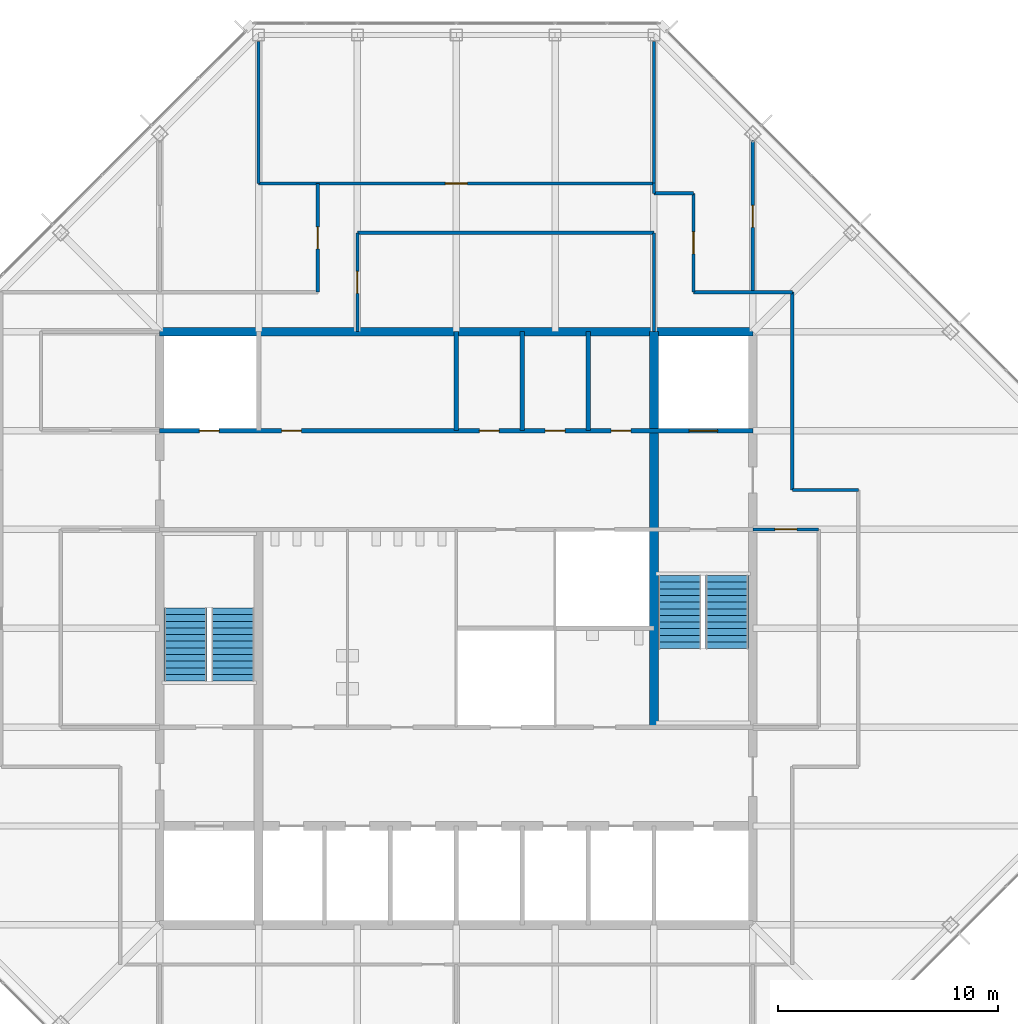
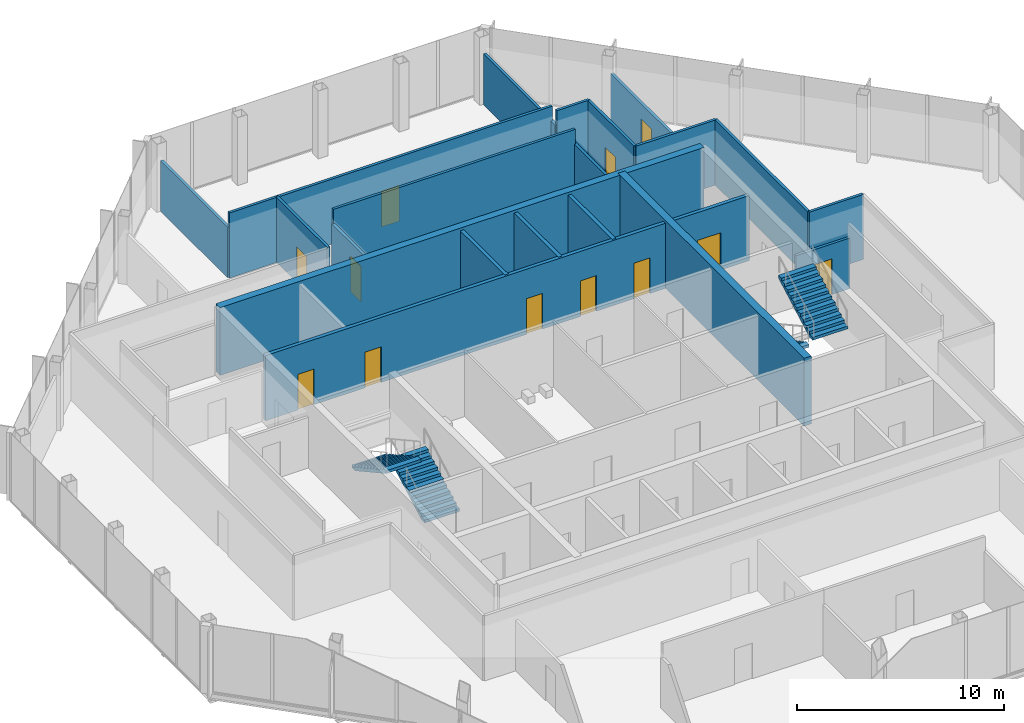
# One storey, part 11 of 13: 21 walls, 12 doors, 4 stair flights, 12 openings, 2 elements without a shape of their own.
"""IFC4 building model written with IfcOpenShell, lengths in metres."""

from ifc_helpers import new_model, si_unit, direction, frame, frame_2d, origin, place, context, subcontext, project, spatial, polyline, rectangle, outline, extrude, material, layer, layer_set, type_object, element, fill, aggregate, save


model = new_model("IFC4")

# Units and contexts
model_context = context("Model", 3, precision=1e-05, world=origin(), true_north=direction((0.0, 1.0)))
body_context = subcontext(model_context, "Body", "Model", "MODEL_VIEW")
ifc_project = project(units=[si_unit("LENGTHUNIT", "METRE"), si_unit("AREAUNIT", "SQUARE_METRE"), si_unit("VOLUMEUNIT", "CUBIC_METRE"), si_unit("PLANEANGLEUNIT", "RADIAN"), si_unit("MASSUNIT", "GRAM", prefix="KILO")], contexts=[model_context])

# Site, building, storey
site_placement = place(None, origin())
site = spatial("IfcSite", under=ifc_project, at=site_placement, CompositionType="ELEMENT")
building_placement = place(site_placement, origin())
building = spatial("IfcBuilding", under=site, at=building_placement, Name="Corais Broadcast Tower", CompositionType="ELEMENT")
storey_placement = place(building_placement, frame((0.0, 0.0, 302.60009765625)))
storey = spatial("IfcBuildingStorey", under=building, at=storey_placement, Name="L71", CompositionType="ELEMENT", Elevation=302.60009765625)

# Walls
ifc_material_1 = material(Name="Concrete C50/60", Category="concrete")
ifc_layer_1 = layer(ifc_material_1, 0.39990234375)
ifc_layer_set_1 = layer_set([ifc_layer_1], Name="Concrete C50/60")
wall_type_1 = type_object("IfcWallType", Name="Core wall 400", PredefinedType="SHEAR", material=ifc_layer_set_1)
wall_1_placement = place(storey_placement, frame((40.5, 40.5, 0.0), z_axis=(0.0, 0.0, 1.0), x_axis=(-1.0, 0.0, 0.0)))
element("IfcWall", 1, at=wall_1_placement, inside=storey, type_object=wall_type_1, Name="CR400 core wall N L71", PredefinedType="SHEAR", context=body_context, shape_type="SweptSolid", body=[
    extrude(rectangle(XDim=27.0, YDim=0.39990234375, at=frame_2d((13.5, 0.0))), origin(), (0.0, 0.0, 1.0), 4.0),
])
wall_2_placement = place(storey_placement, frame((36.0, 22.5, 0.0), z_axis=(0.0, 0.0, 1.0), x_axis=(0.0, 1.0, 0.0)))
element("IfcWall", 2, at=wall_2_placement, inside=storey, type_object=wall_type_1, Name="CR400 core wall X36B L71", PredefinedType="SHEAR", context=body_context, shape_type="SweptSolid", body=[
    extrude(rectangle(XDim=18.0, YDim=0.39990234375, at=frame_2d((9.0, 0.0))), origin(), (0.0, 0.0, 1.0), 4.0),
])

# Wall, openings, doors
ifc_material_2 = material(Name="Concrete blockwork class A, grouted, four-hour", Category="masonry")
ifc_layer_2 = layer(ifc_material_2, 0.199951171875)
ifc_layer_set_2 = layer_set([ifc_layer_2], Name="Concrete blockwork class A, grouted, four-hour")
wall_type_2 = type_object("IfcWallType", Name="Emergency lift shaft wall 200", PredefinedType="SOLIDWALL", material=ifc_layer_set_2)
wall_3_placement = place(storey_placement, frame((13.5, 36.0, 0.0), z_axis=(0.0, 0.0, 1.0), x_axis=(1.0, 0.0, 0.0)))
wall_3 = element("IfcWall", 3, at=wall_3_placement, inside=storey, type_object=wall_type_2, Name="LS3 core lobby wall Y36 L71", PredefinedType="SOLIDWALL", context=body_context, shape_type="SweptSolid", body=[
    extrude(rectangle(XDim=27.0, YDim=0.199951171875, at=frame_2d((13.5, 0.0))), origin(), (0.0, 0.0, 1.0), 3.83984375),
])
opening_1_placement = place(wall_3_placement, frame((1.800048828125, 0.0, 0.0)))
opening_1 = element("IfcOpeningElement", 4, at=opening_1_placement, cuts=wall_3, Name="Opening RD1", PredefinedType="OPENING", context=body_context, shape_type="SweptSolid", body=[
    extrude(rectangle(XDim=0.89990234375, YDim=2.10009765625, at=frame_2d((0.449951171875, 1.050048828125))), frame((0.0, 0.10986328125, 0.0), z_axis=(0.0, -1.0, 0.0), x_axis=(1.0, 0.0, 0.0)), (0.0, 0.0, 1.0), 0.219970703125),
])
opening_2_placement = place(wall_3_placement, frame((5.550048828125, 0.0, 0.0)))
opening_2 = element("IfcOpeningElement", 5, at=opening_2_placement, cuts=wall_3, Name="Opening RD1", PredefinedType="OPENING", context=body_context, shape_type="SweptSolid", body=[
    extrude(rectangle(XDim=0.89990234375, YDim=2.10009765625, at=frame_2d((0.449951171875, 1.050048828125))), frame((0.0, 0.10986328125, 0.0), z_axis=(0.0, -1.0, 0.0), x_axis=(1.0, 0.0, 0.0)), (0.0, 0.0, 1.0), 0.219970703125),
])
opening_3_placement = place(wall_3_placement, frame((14.550048828125, 0.0, 0.0)))
opening_3 = element("IfcOpeningElement", 6, at=opening_3_placement, cuts=wall_3, Name="Opening RD1", PredefinedType="OPENING", context=body_context, shape_type="SweptSolid", body=[
    extrude(rectangle(XDim=0.89990234375, YDim=2.10009765625, at=frame_2d((0.449951171875, 1.050048828125))), frame((0.0, 0.10986328125, 0.0), z_axis=(0.0, -1.0, 0.0), x_axis=(1.0, 0.0, 0.0)), (0.0, 0.0, 1.0), 0.219970703125),
])
opening_4_placement = place(wall_3_placement, frame((17.550048828125, 0.0, 0.0)))
opening_4 = element("IfcOpeningElement", 7, at=opening_4_placement, cuts=wall_3, Name="Opening RD1", PredefinedType="OPENING", context=body_context, shape_type="SweptSolid", body=[
    extrude(rectangle(XDim=0.89990234375, YDim=2.10009765625, at=frame_2d((0.449951171875, 1.050048828125))), frame((0.0, 0.10986328125, 0.0), z_axis=(0.0, -1.0, 0.0), x_axis=(1.0, 0.0, 0.0)), (0.0, 0.0, 1.0), 0.219970703125),
])
opening_5_placement = place(wall_3_placement, frame((20.550048828125, 0.0, 0.0)))
opening_5 = element("IfcOpeningElement", 8, at=opening_5_placement, cuts=wall_3, Name="Opening RD1", PredefinedType="OPENING", context=body_context, shape_type="SweptSolid", body=[
    extrude(rectangle(XDim=0.89990234375, YDim=2.10009765625, at=frame_2d((0.449951171875, 1.050048828125))), frame((0.0, 0.10986328125, 0.0), z_axis=(0.0, -1.0, 0.0), x_axis=(1.0, 0.0, 0.0)), (0.0, 0.0, 1.0), 0.219970703125),
])
opening_6_placement = place(wall_3_placement, frame((24.10009765625, 0.0, 0.0)))
opening_6 = element("IfcOpeningElement", 9, at=opening_6_placement, cuts=wall_3, Name="Opening LD2", PredefinedType="OPENING", context=body_context, shape_type="SweptSolid", body=[
    extrude(rectangle(XDim=1.300048828125, YDim=2.199951171875, at=frame_2d((0.64990234375, 1.10009765625))), frame((0.0, 0.10986328125, 0.0), z_axis=(0.0, -1.0, 0.0), x_axis=(1.0, 0.0, 0.0)), (0.0, 0.0, 1.0), 0.219970703125),
])
ifc_material_3 = material(Name="Stainless steel lift door", Category="steel")
door_type_1 = type_object("IfcDoorType", Name="Lift landing door 1300x2200", OperationType="SLIDING_TO_LEFT", PredefinedType="DOOR", material=ifc_material_3)
door_1_placement = place(opening_6_placement, origin())
door_1 = element("IfcDoor", 10, at=door_1_placement, inside=storey, type_object=door_type_1, Name="LD2 FL2 landing door L71", OperationType="SLIDING_TO_LEFT", OverallHeight=2.199951171875, OverallWidth=1.300048828125, PredefinedType="DOOR", context=body_context, shape_type="SweptSolid", body=[
    extrude(rectangle(XDim=1.300048828125, YDim=2.199951171875, at=frame_2d((0.64990234375, 1.10009765625))), frame((0.0, 0.02490234375, 0.0), z_axis=(0.0, -1.0, 0.0), x_axis=(1.0, 0.0, 0.0)), (0.0, 0.0, 1.0), 0.050048828125),
])
fill(opening_6, door_1)
ifc_material_4 = material(Name="Steel fire door", Category="steel")
door_type_2 = type_object("IfcDoorType", Name="Riser door 900x2100", OperationType="SINGLE_SWING_LEFT", PredefinedType="DOOR", material=ifc_material_4)
door_2_placement = place(opening_1_placement, origin())
door_2 = element("IfcDoor", 11, at=door_2_placement, inside=storey, type_object=door_type_2, Name="RD1 riser door L71", OperationType="SINGLE_SWING_LEFT", OverallHeight=2.10009765625, OverallWidth=0.89990234375, PredefinedType="DOOR", context=body_context, shape_type="SweptSolid", body=[
    extrude(rectangle(XDim=0.89990234375, YDim=2.10009765625, at=frame_2d((0.449951171875, 1.050048828125))), frame((0.0, 0.02490234375, 0.0), z_axis=(0.0, -1.0, 0.0), x_axis=(1.0, 0.0, 0.0)), (0.0, 0.0, 1.0), 0.050048828125),
])
fill(opening_1, door_2)
door_3_placement = place(opening_2_placement, origin())
door_3 = element("IfcDoor", 12, at=door_3_placement, inside=storey, type_object=door_type_2, Name="RD1 stationery store door L71", OperationType="SINGLE_SWING_LEFT", OverallHeight=2.10009765625, OverallWidth=0.89990234375, PredefinedType="DOOR", context=body_context, shape_type="SweptSolid", body=[
    extrude(rectangle(XDim=0.89990234375, YDim=2.10009765625, at=frame_2d((0.449951171875, 1.050048828125))), frame((0.0, 0.02490234375, 0.0), z_axis=(0.0, -1.0, 0.0), x_axis=(1.0, 0.0, 0.0)), (0.0, 0.0, 1.0), 0.050048828125),
])
fill(opening_2, door_3)
door_4_placement = place(opening_3_placement, origin())
door_4 = element("IfcDoor", 13, at=door_4_placement, inside=storey, type_object=door_type_2, Name="RD1 vending room door L71", OperationType="SINGLE_SWING_RIGHT", OverallHeight=2.10009765625, OverallWidth=0.89990234375, PredefinedType="DOOR", context=body_context, shape_type="SweptSolid", body=[
    extrude(rectangle(XDim=0.89990234375, YDim=2.10009765625, at=frame_2d((0.449951171875, 1.050048828125))), frame((0.0, 0.02490234375, 0.0), z_axis=(0.0, -1.0, 0.0), x_axis=(1.0, 0.0, 0.0)), (0.0, 0.0, 1.0), 0.050048828125),
])
fill(opening_3, door_4)
door_5_placement = place(opening_4_placement, origin())
door_5 = element("IfcDoor", 14, at=door_5_placement, inside=storey, type_object=door_type_2, Name="RD1 av equipment room door L71", OperationType="SINGLE_SWING_RIGHT", OverallHeight=2.10009765625, OverallWidth=0.89990234375, PredefinedType="DOOR", context=body_context, shape_type="SweptSolid", body=[
    extrude(rectangle(XDim=0.89990234375, YDim=2.10009765625, at=frame_2d((0.449951171875, 1.050048828125))), frame((0.0, 0.02490234375, 0.0), z_axis=(0.0, -1.0, 0.0), x_axis=(1.0, 0.0, 0.0)), (0.0, 0.0, 1.0), 0.050048828125),
])
fill(opening_4, door_5)
door_6_placement = place(opening_5_placement, origin())
door_6 = element("IfcDoor", 15, at=door_6_placement, inside=storey, type_object=door_type_2, Name="RD1 media store door L71", OperationType="SINGLE_SWING_RIGHT", OverallHeight=2.10009765625, OverallWidth=0.89990234375, PredefinedType="DOOR", context=body_context, shape_type="SweptSolid", body=[
    extrude(rectangle(XDim=0.89990234375, YDim=2.10009765625, at=frame_2d((0.449951171875, 1.050048828125))), frame((0.0, 0.02490234375, 0.0), z_axis=(0.0, -1.0, 0.0), x_axis=(1.0, 0.0, 0.0)), (0.0, 0.0, 1.0), 0.050048828125),
])
fill(opening_5, door_6)

# Wall
ifc_material_5 = material(Name="Gypsum board on steel studs", Category="steel")
ifc_layer_3 = layer(ifc_material_5, 0.14990234375)
ifc_layer_set_3 = layer_set([ifc_layer_3], Name="Gypsum board on steel studs")
wall_type_3 = type_object("IfcWallType", Name="Partition 150", PredefinedType="PARTITIONING", material=ifc_layer_set_3)
wall_4_placement = place(storey_placement, frame((42.300048828125, 33.300048828125, 0.0), z_axis=(0.0, 0.0, 1.0), x_axis=(0.0, 1.0, 0.0)))
element("IfcWall", 16, at=wall_4_placement, inside=storey, type_object=wall_type_3, Name="IW3 corridor wall L71", PredefinedType="PARTITIONING", context=body_context, shape_type="SweptSolid", body=[
    extrude(rectangle(XDim=9.0, YDim=0.14990234375, at=frame_2d((4.5, 0.0))), origin(), (0.0, 0.0, 1.0), 3.83984375),
])

# Wall, opening, door
wall_5_placement = place(storey_placement, frame((37.800048828125, 42.300048828125, 0.0), z_axis=(0.0, 0.0, 1.0), x_axis=(0.0, 1.0, 0.0)))
wall_5 = element("IfcWall", 17, at=wall_5_placement, inside=storey, type_object=wall_type_3, Name="IW3 corridor wall L71", PredefinedType="PARTITIONING", context=body_context, shape_type="SweptSolid", body=[
    extrude(rectangle(XDim=4.5, YDim=0.14990234375, at=frame_2d((2.25, 0.0))), origin(), (0.0, 0.0, 1.0), 3.83984375),
])
opening_7_placement = place(wall_5_placement, frame((1.75, 0.0, 0.0)))
opening_7 = element("IfcOpeningElement", 18, at=opening_7_placement, cuts=wall_5, Name="Opening D1", PredefinedType="OPENING", context=body_context, shape_type="SweptSolid", body=[
    extrude(rectangle(XDim=1.0, YDim=2.10009765625, at=frame_2d((0.5, 1.050048828125))), frame((0.0, 0.0849609375, 0.0), z_axis=(0.0, -1.0, 0.0), x_axis=(1.0, 0.0, 0.0)), (0.0, 0.0, 1.0), 0.169921875),
])
ifc_material_6 = material(Name="Timber door", Category="wood")
door_type_3 = type_object("IfcDoorType", Name="Single door 1000x2100", OperationType="SINGLE_SWING_LEFT", PredefinedType="DOOR", material=ifc_material_6)
door_7_placement = place(opening_7_placement, origin())
door_7 = element("IfcDoor", 19, at=door_7_placement, inside=storey, type_object=door_type_3, Name="D1 workplace door L71", OperationType="SINGLE_SWING_LEFT", OverallHeight=2.10009765625, OverallWidth=1.0, PredefinedType="DOOR", context=body_context, shape_type="SweptSolid", body=[
    extrude(rectangle(XDim=1.0, YDim=2.10009765625, at=frame_2d((0.5, 1.050048828125))), frame((0.0, 0.02490234375, 0.0), z_axis=(0.0, -1.0, 0.0), x_axis=(1.0, 0.0, 0.0)), (0.0, 0.0, 1.0), 0.050048828125),
])
fill(opening_7, door_7)

# Walls
wall_6_placement = place(storey_placement, frame((42.300048828125, 42.300048828125, 0.0), z_axis=(0.0, 0.0, 1.0), x_axis=(-1.0, 0.0, 0.0)))
element("IfcWall", 20, at=wall_6_placement, inside=storey, type_object=wall_type_3, Name="IW3 corridor wall L71", PredefinedType="PARTITIONING", context=body_context, shape_type="SweptSolid", body=[
    extrude(rectangle(XDim=4.5, YDim=0.14990234375, at=frame_2d((2.25, 0.0))), origin(), (0.0, 0.0, 1.0), 3.83984375),
])
wall_7_placement = place(storey_placement, frame((45.300048828125, 33.300048828125, 0.0), z_axis=(0.0, 0.0, 1.0), x_axis=(-1.0, 0.0, 0.0)))
element("IfcWall", 21, at=wall_7_placement, inside=storey, type_object=wall_type_3, Name="IW3 corridor wall L71", PredefinedType="PARTITIONING", context=body_context, shape_type="SweptSolid", body=[
    extrude(rectangle(XDim=3.0, YDim=0.14990234375, at=frame_2d((1.5, 0.0))), origin(), (0.0, 0.0, 1.0), 3.83984375),
])
wall_8_placement = place(storey_placement, frame((37.800048828125, 46.800048828125, 0.0), z_axis=(0.0, 0.0, 1.0), x_axis=(-1.0, 0.0, 0.0)))
element("IfcWall", 22, at=wall_8_placement, inside=storey, type_object=wall_type_3, Name="IW3 corridor wall L71", PredefinedType="PARTITIONING", context=body_context, shape_type="SweptSolid", body=[
    extrude(rectangle(XDim=1.800048828125, YDim=0.14990234375, at=frame_2d((0.89990234375, 0.0))), origin(), (0.0, 0.0, 1.0), 3.83984375),
])
wall_9_placement = place(storey_placement, frame((36.0, 46.800048828125, 0.0), z_axis=(0.0, 0.0, 1.0), x_axis=(0.0, 1.0, 0.0)))
element("IfcWall", 23, at=wall_9_placement, inside=storey, type_object=wall_type_3, Name="IW3 corridor wall L71", PredefinedType="PARTITIONING", context=body_context, shape_type="SweptSolid", body=[
    extrude(rectangle(XDim=0.4599609375, YDim=0.14990234375, at=frame_2d((0.22998046875, 0.0))), origin(), (0.0, 0.0, 1.0), 2.989013671875),
])

# Wall, opening, door
wall_10_placement = place(storey_placement, frame((20.699951171875, 47.25, 0.0), z_axis=(0.0, 0.0, 1.0), x_axis=(0.0, -1.0, 0.0)))
wall_10 = element("IfcWall", 24, at=wall_10_placement, inside=storey, type_object=wall_type_3, Name="IW3 corridor wall L71", PredefinedType="PARTITIONING", context=body_context, shape_type="SweptSolid", body=[
    extrude(rectangle(XDim=4.949951171875, YDim=0.14990234375, at=frame_2d((2.47509765625, 0.0))), origin(), (0.0, 0.0, 1.0), 3.83984375),
])
opening_8_placement = place(wall_10_placement, frame((1.97509765625, 0.0, 0.0)))
opening_8 = element("IfcOpeningElement", 25, at=opening_8_placement, cuts=wall_10, Name="Opening D1", PredefinedType="OPENING", context=body_context, shape_type="SweptSolid", body=[
    extrude(rectangle(XDim=1.0, YDim=2.10009765625, at=frame_2d((0.5, 1.050048828125))), frame((0.0, 0.0849609375, 0.0), z_axis=(0.0, -1.0, 0.0), x_axis=(1.0, 0.0, 0.0)), (0.0, 0.0, 1.0), 0.169921875),
])
door_8_placement = place(opening_8_placement, origin())
door_8 = element("IfcDoor", 26, at=door_8_placement, inside=storey, type_object=door_type_3, Name="D1 workplace door L71", OperationType="SINGLE_SWING_LEFT", OverallHeight=2.10009765625, OverallWidth=1.0, PredefinedType="DOOR", context=body_context, shape_type="SweptSolid", body=[
    extrude(rectangle(XDim=1.0, YDim=2.10009765625, at=frame_2d((0.5, 1.050048828125))), frame((0.0, 0.02490234375, 0.0), z_axis=(0.0, -1.0, 0.0), x_axis=(1.0, 0.0, 0.0)), (0.0, 0.0, 1.0), 0.050048828125),
])
fill(opening_8, door_8)

wall_11_placement = place(storey_placement, frame((43.5, 31.5, 0.0), z_axis=(0.0, 0.0, 1.0), x_axis=(-1.0, 0.0, 0.0)))
wall_11 = element("IfcWall", 27, at=wall_11_placement, inside=storey, type_object=wall_type_3, Name="IW3 partition L71", PredefinedType="PARTITIONING", context=body_context, shape_type="SweptSolid", body=[
    extrude(rectangle(XDim=3.0, YDim=0.14990234375, at=frame_2d((1.5, 0.0))), origin(), (0.0, 0.0, 1.0), 2.989013671875),
])
opening_9_placement = place(wall_11_placement, frame((1.0, 0.0, 0.0)))
opening_9 = element("IfcOpeningElement", 28, at=opening_9_placement, cuts=wall_11, Name="Opening D1", PredefinedType="OPENING", context=body_context, shape_type="SweptSolid", body=[
    extrude(rectangle(XDim=1.0, YDim=2.10009765625, at=frame_2d((0.5, 1.050048828125))), frame((0.0, 0.0849609375, 0.0), z_axis=(0.0, -1.0, 0.0), x_axis=(1.0, 0.0, 0.0)), (0.0, 0.0, 1.0), 0.169921875),
])
door_9_placement = place(opening_9_placement, origin())
door_9 = element("IfcDoor", 29, at=door_9_placement, inside=storey, type_object=door_type_3, Name="D1 Servery door", OperationType="SINGLE_SWING_LEFT", OverallHeight=2.10009765625, OverallWidth=1.0, PredefinedType="DOOR", context=body_context, shape_type="SweptSolid", body=[
    extrude(rectangle(XDim=1.0, YDim=2.10009765625, at=frame_2d((0.5, 1.050048828125))), frame((0.0, 0.02490234375, 0.0), z_axis=(0.0, -1.0, 0.0), x_axis=(1.0, 0.0, 0.0)), (0.0, 0.0, 1.0), 0.050048828125),
])
fill(opening_9, door_9)

wall_12_placement = place(storey_placement, frame((18.0, 47.25, 0.0), z_axis=(0.0, 0.0, 1.0), x_axis=(1.0, 0.0, 0.0)))
wall_12 = element("IfcWall", 30, at=wall_12_placement, inside=storey, type_object=wall_type_3, Name="IW3 partition L71", PredefinedType="PARTITIONING", context=body_context, shape_type="SweptSolid", body=[
    extrude(rectangle(XDim=18.0, YDim=0.14990234375, at=frame_2d((9.0, 0.0))), origin(), (0.0, 0.0, 1.0), 3.83984375),
])
opening_10_placement = place(wall_12_placement, frame((8.5, 0.0, 0.0)))
opening_10 = element("IfcOpeningElement", 31, at=opening_10_placement, cuts=wall_12, Name="Opening D1", PredefinedType="OPENING", context=body_context, shape_type="SweptSolid", body=[
    extrude(rectangle(XDim=1.0, YDim=2.10009765625, at=frame_2d((0.5, 1.050048828125))), frame((0.0, 0.0849609375, 0.0), z_axis=(0.0, -1.0, 0.0), x_axis=(1.0, 0.0, 0.0)), (0.0, 0.0, 1.0), 0.169921875),
])
door_10_placement = place(opening_10_placement, origin())
door_10 = element("IfcDoor", 32, at=door_10_placement, inside=storey, type_object=door_type_3, Name="D1 Guest lounge door", OperationType="SINGLE_SWING_LEFT", OverallHeight=2.10009765625, OverallWidth=1.0, PredefinedType="DOOR", context=body_context, shape_type="SweptSolid", body=[
    extrude(rectangle(XDim=1.0, YDim=2.10009765625, at=frame_2d((0.5, 1.050048828125))), frame((0.0, 0.02490234375, 0.0), z_axis=(0.0, -1.0, 0.0), x_axis=(1.0, 0.0, 0.0)), (0.0, 0.0, 1.0), 0.050048828125),
])
fill(opening_10, door_10)

# Walls
for number, where, z_axis, x_axis, name in (
    (33, (36.0, 47.25, 0.0), (0.0, 0.0, 1.0), (0.0, 1.0, 0.0), "IW3 partition L71"),
    (34, (18.0, 53.715087890625, 0.0), (0.0, 0.0, 1.0), (0.0, -1.0, 0.0), "IW3 partition L71"),
):
    element("IfcWall", number, at=place(storey_placement, frame(where, z_axis=z_axis, x_axis=x_axis)), inside=storey, type_object=wall_type_3, Name=name, PredefinedType="PARTITIONING", context=body_context, shape_type="SweptSolid", body=[
        extrude(rectangle(XDim=6.465087890625, YDim=0.14990234375, at=frame_2d((3.232421875, 0.0))), origin(), (0.0, 0.0, 1.0), 2.989013671875),
    ])
wall_13_placement = place(storey_placement, frame((36.0, 40.5, 0.0), z_axis=(0.0, 0.0, 1.0), x_axis=(0.0, 1.0, 0.0)))
element("IfcWall", 35, at=wall_13_placement, inside=storey, type_object=wall_type_3, Name="IW3 partition L71", PredefinedType="PARTITIONING", context=body_context, shape_type="SweptSolid", body=[
    extrude(rectangle(XDim=4.5, YDim=0.14990234375, at=frame_2d((2.25, 0.0))), origin(), (0.0, 0.0, 1.0), 2.989013671875),
])
wall_14_placement = place(storey_placement, frame((36.0, 45.0, 0.0), z_axis=(0.0, 0.0, 1.0), x_axis=(-1.0, 0.0, 0.0)))
element("IfcWall", 36, at=wall_14_placement, inside=storey, type_object=wall_type_3, Name="IW3 partition L71", PredefinedType="PARTITIONING", context=body_context, shape_type="SweptSolid", body=[
    extrude(rectangle(XDim=13.5, YDim=0.14990234375, at=frame_2d((6.75, 0.0))), origin(), (0.0, 0.0, 1.0), 3.83984375),
])

# Wall, opening, door
wall_15_placement = place(storey_placement, frame((22.5, 45.0, 0.0), z_axis=(0.0, 0.0, 1.0), x_axis=(0.0, -1.0, 0.0)))
wall_15 = element("IfcWall", 37, at=wall_15_placement, inside=storey, type_object=wall_type_3, Name="IW3 partition L71", PredefinedType="PARTITIONING", context=body_context, shape_type="SweptSolid", body=[
    extrude(rectangle(XDim=4.5, YDim=0.14990234375, at=frame_2d((2.25, 0.0))), origin(), (0.0, 0.0, 1.0), 2.989013671875),
])
opening_11_placement = place(wall_15_placement, frame((1.75, 0.0, 0.0)))
opening_11 = element("IfcOpeningElement", 38, at=opening_11_placement, cuts=wall_15, Name="Opening D1", PredefinedType="OPENING", context=body_context, shape_type="SweptSolid", body=[
    extrude(rectangle(XDim=1.0, YDim=2.10009765625, at=frame_2d((0.5, 1.050048828125))), frame((0.0, 0.0849609375, 0.0), z_axis=(0.0, -1.0, 0.0), x_axis=(1.0, 0.0, 0.0)), (0.0, 0.0, 1.0), 0.169921875),
])
door_11_placement = place(opening_11_placement, origin())
door_11 = element("IfcDoor", 39, at=door_11_placement, inside=storey, type_object=door_type_3, Name="D1 Meeting room door", OperationType="SINGLE_SWING_LEFT", OverallHeight=2.10009765625, OverallWidth=1.0, PredefinedType="DOOR", context=body_context, shape_type="SweptSolid", body=[
    extrude(rectangle(XDim=1.0, YDim=2.10009765625, at=frame_2d((0.5, 1.050048828125))), frame((0.0, 0.02490234375, 0.0), z_axis=(0.0, -1.0, 0.0), x_axis=(1.0, 0.0, 0.0)), (0.0, 0.0, 1.0), 0.050048828125),
])
fill(opening_11, door_11)

wall_16_placement = place(storey_placement, frame((40.5, 49.205078125, 0.0), z_axis=(0.0, 0.0, 1.0), x_axis=(0.0, -1.0, 0.0)))
wall_16 = element("IfcWall", 40, at=wall_16_placement, inside=storey, type_object=wall_type_3, Name="IW3 partition L71", PredefinedType="PARTITIONING", context=body_context, shape_type="SweptSolid", body=[
    extrude(rectangle(XDim=6.905029296875, YDim=0.14990234375, at=frame_2d((3.45263671875, 0.0))), origin(), (0.0, 0.0, 1.0), 2.989013671875),
])
opening_12_placement = place(wall_16_placement, frame((2.952392578125, 0.0, 0.0)))
opening_12 = element("IfcOpeningElement", 41, at=opening_12_placement, cuts=wall_16, Name="Opening D1", PredefinedType="OPENING", context=body_context, shape_type="SweptSolid", body=[
    extrude(rectangle(XDim=1.0, YDim=2.10009765625, at=frame_2d((0.5, 1.050048828125))), frame((0.0, 0.0849609375, 0.0), z_axis=(0.0, -1.0, 0.0), x_axis=(1.0, 0.0, 0.0)), (0.0, 0.0, 1.0), 0.169921875),
])
door_12_placement = place(opening_12_placement, origin())
door_12 = element("IfcDoor", 42, at=door_12_placement, inside=storey, type_object=door_type_3, Name="D1 team room door L71", OperationType="SINGLE_SWING_LEFT", OverallHeight=2.10009765625, OverallWidth=1.0, PredefinedType="DOOR", context=body_context, shape_type="SweptSolid", body=[
    extrude(rectangle(XDim=1.0, YDim=2.10009765625, at=frame_2d((0.5, 1.050048828125))), frame((0.0, 0.02490234375, 0.0), z_axis=(0.0, -1.0, 0.0), x_axis=(1.0, 0.0, 0.0)), (0.0, 0.0, 1.0), 0.050048828125),
])
fill(opening_12, door_12)

# Walls
ifc_material_7 = material(Name="Concrete blockwork class A, grouted, two-hour", Category="masonry")
ifc_layer_4 = layer(ifc_material_7, 0.199951171875)
ifc_layer_set_4 = layer_set([ifc_layer_4], Name="Concrete blockwork class A, grouted, two-hour")
wall_type_4 = type_object("IfcWallType", Name="Shaft wall 200", PredefinedType="PARTITIONING", material=ifc_layer_set_4)
for number, where, z_axis, x_axis, name in (
    (43, (27.0, 36.0, 0.0), (0.0, 0.0, 1.0), (0.0, 1.0, 0.0), "IW1 shaft wall L71"),
    (44, (30.0, 36.0, 0.0), (0.0, 0.0, 1.0), (0.0, 1.0, 0.0), "IW1 shaft wall L71"),
    (45, (33.0, 36.0, 0.0), (0.0, 0.0, 1.0), (0.0, 1.0, 0.0), "IW1 shaft wall L71"),
):
    element("IfcWall", number, at=place(storey_placement, frame(where, z_axis=z_axis, x_axis=x_axis)), inside=storey, type_object=wall_type_4, Name=name, PredefinedType="PARTITIONING", context=body_context, shape_type="SweptSolid", body=[
        extrude(rectangle(XDim=4.5, YDim=0.199951171875, at=frame_2d((2.25, 0.0))), origin(), (0.0, 0.0, 1.0), 3.83984375),
    ])

# Stair, stair flights
ifc_material_8 = material(Name="Concrete C30/37", Category="concrete")
stair_type = type_object("IfcStairType", Name="Half-turn stair 4000", PredefinedType="HALF_TURN_STAIR", material=ifc_material_8)
stair_1_placement = place(storey_placement, origin())
stair_1 = element("IfcStair", 46, at=stair_1_placement, inside=storey, type_object=stair_type, Name="Stair A L71", PredefinedType="HALF_TURN_STAIR")
ifc_material_9 = material(Name="Concrete C30/37", Category="concrete")
stair_flight_type = type_object("IfcStairFlightType", Name="Stair flight 4000", PredefinedType="STRAIGHT", material=ifc_material_9)
stair_flight_1_placement = place(storey_placement, frame((16.824951171875, 24.60009765625, 0.0), z_axis=(0.0, 0.0, 1.0), x_axis=(0.0, 1.0, 0.0)))
stair_flight_1 = element("IfcStairFlight", 47, at=stair_flight_1_placement, type_object=stair_flight_type, Name="STA flight 1", NumberOfRisers=12, NumberOfTreads=11, PredefinedType="STRAIGHT", RiserHeight=0.166666667, TreadLength=0.302, context=body_context, shape_type="SweptSolid", body=[
    extrude(outline(polyline([(0.0, 0.0), (0.0, 0.166748046875), (0.302001953125, 0.166748046875), (0.302001953125, 0.333251953125), (0.60400390625, 0.333251953125), (0.60400390625, 0.5), (0.906005859375, 0.5), (0.906005859375, 0.666748046875), (1.2080078125, 0.666748046875), (1.2080078125, 0.833251953125), (1.510009765625, 0.833251953125), (1.510009765625, 1.0), (1.81201171875, 1.0), (1.81201171875, 1.166748046875), (2.114013671875, 1.166748046875), (2.114013671875, 1.333251953125), (2.416015625, 1.333251953125), (2.416015625, 1.5), (2.718017578125, 1.5), (2.718017578125, 1.666748046875), (3.02001953125, 1.666748046875), (3.02001953125, 1.833251953125), (3.322021484375, 1.833251953125), (3.322021484375, 2.0), (3.322021484375, 1.662109375), (0.310302734375, 0.0), (0.0, 0.0)])), frame((0.0, 0.97509765625, 0.0), z_axis=(0.0, -1.0, 0.0), x_axis=(1.0, 0.0, 0.0)), (0.0, 0.0, 1.0), 1.949951171875),
])
stair_flight_2_placement = place(storey_placement, frame((14.675048828125, 27.922119140625, 2.0), z_axis=(0.0, 0.0, 1.0), x_axis=(0.0, -1.0, 0.0)))
stair_flight_2 = element("IfcStairFlight", 48, at=stair_flight_2_placement, type_object=stair_flight_type, Name="STA flight 2", NumberOfRisers=12, NumberOfTreads=11, PredefinedType="STRAIGHT", RiserHeight=0.166666667, TreadLength=0.302, context=body_context, shape_type="SweptSolid", body=[
    extrude(outline(polyline([(0.0, 0.0), (0.0, 0.166748046875), (0.302001953125, 0.166748046875), (0.302001953125, 0.333251953125), (0.60400390625, 0.333251953125), (0.60400390625, 0.5), (0.906005859375, 0.5), (0.906005859375, 0.666748046875), (1.2080078125, 0.666748046875), (1.2080078125, 0.833251953125), (1.510009765625, 0.833251953125), (1.510009765625, 1.0), (1.81201171875, 1.0), (1.81201171875, 1.166748046875), (2.114013671875, 1.166748046875), (2.114013671875, 1.333251953125), (2.416015625, 1.333251953125), (2.416015625, 1.5), (2.718017578125, 1.5), (2.718017578125, 1.666748046875), (3.02001953125, 1.666748046875), (3.02001953125, 1.833251953125), (3.322021484375, 1.833251953125), (3.322021484375, 2.0), (3.322021484375, 1.662109375), (0.310302734375, 0.0), (0.0, 0.0)])), frame((0.0, 0.97509765625, 0.0), z_axis=(0.0, -1.0, 0.0), x_axis=(1.0, 0.0, 0.0)), (0.0, 0.0, 1.0), 1.949951171875),
])
aggregate(stair_1, [stair_flight_1, stair_flight_2])

stair_2_placement = place(storey_placement, origin())
stair_2 = element("IfcStair", 49, at=stair_2_placement, inside=storey, type_object=stair_type, Name="Stair B L71", PredefinedType="HALF_TURN_STAIR")
stair_flight_3_placement = place(storey_placement, frame((37.175048828125, 29.39990234375, 0.0), z_axis=(0.0, 0.0, 1.0), x_axis=(0.0, -1.0, 0.0)))
stair_flight_3 = element("IfcStairFlight", 50, at=stair_flight_3_placement, type_object=stair_flight_type, Name="STB flight 1", NumberOfRisers=12, NumberOfTreads=11, PredefinedType="STRAIGHT", RiserHeight=0.166666667, TreadLength=0.302, context=body_context, shape_type="SweptSolid", body=[
    extrude(outline(polyline([(0.0, 0.0), (0.0, 0.166748046875), (0.302001953125, 0.166748046875), (0.302001953125, 0.333251953125), (0.60400390625, 0.333251953125), (0.60400390625, 0.5), (0.906005859375, 0.5), (0.906005859375, 0.666748046875), (1.2080078125, 0.666748046875), (1.2080078125, 0.833251953125), (1.510009765625, 0.833251953125), (1.510009765625, 1.0), (1.81201171875, 1.0), (1.81201171875, 1.166748046875), (2.114013671875, 1.166748046875), (2.114013671875, 1.333251953125), (2.416015625, 1.333251953125), (2.416015625, 1.5), (2.718017578125, 1.5), (2.718017578125, 1.666748046875), (3.02001953125, 1.666748046875), (3.02001953125, 1.833251953125), (3.322021484375, 1.833251953125), (3.322021484375, 2.0), (3.322021484375, 1.662109375), (0.310302734375, 0.0), (0.0, 0.0)])), frame((0.0, 0.97509765625, 0.0), z_axis=(0.0, -1.0, 0.0), x_axis=(1.0, 0.0, 0.0)), (0.0, 0.0, 1.0), 1.949951171875),
])
stair_flight_4_placement = place(storey_placement, frame((39.324951171875, 26.077880859375, 2.0), z_axis=(0.0, 0.0, 1.0), x_axis=(0.0, 1.0, 0.0)))
stair_flight_4 = element("IfcStairFlight", 51, at=stair_flight_4_placement, type_object=stair_flight_type, Name="STB flight 2", NumberOfRisers=12, NumberOfTreads=11, PredefinedType="STRAIGHT", RiserHeight=0.166666667, TreadLength=0.302, context=body_context, shape_type="SweptSolid", body=[
    extrude(outline(polyline([(0.0, 0.0), (0.0, 0.166748046875), (0.302001953125, 0.166748046875), (0.302001953125, 0.333251953125), (0.60400390625, 0.333251953125), (0.60400390625, 0.5), (0.906005859375, 0.5), (0.906005859375, 0.666748046875), (1.2080078125, 0.666748046875), (1.2080078125, 0.833251953125), (1.510009765625, 0.833251953125), (1.510009765625, 1.0), (1.81201171875, 1.0), (1.81201171875, 1.166748046875), (2.114013671875, 1.166748046875), (2.114013671875, 1.333251953125), (2.416015625, 1.333251953125), (2.416015625, 1.5), (2.718017578125, 1.5), (2.718017578125, 1.666748046875), (3.02001953125, 1.666748046875), (3.02001953125, 1.833251953125), (3.322021484375, 1.833251953125), (3.322021484375, 2.0), (3.322021484375, 1.662109375), (0.310302734375, 0.0), (0.0, 0.0)])), frame((0.0, 0.97509765625, 0.0), z_axis=(0.0, -1.0, 0.0), x_axis=(1.0, 0.0, 0.0)), (0.0, 0.0, 1.0), 1.949951171875),
])
aggregate(stair_2, [stair_flight_3, stair_flight_4])

save(model, "model.ifc")
